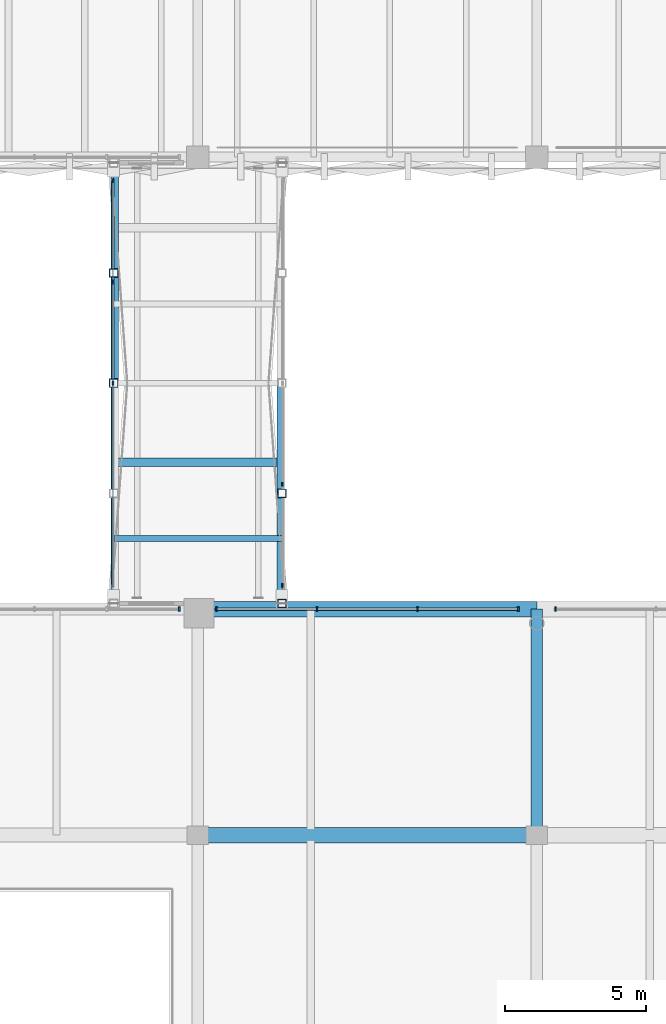
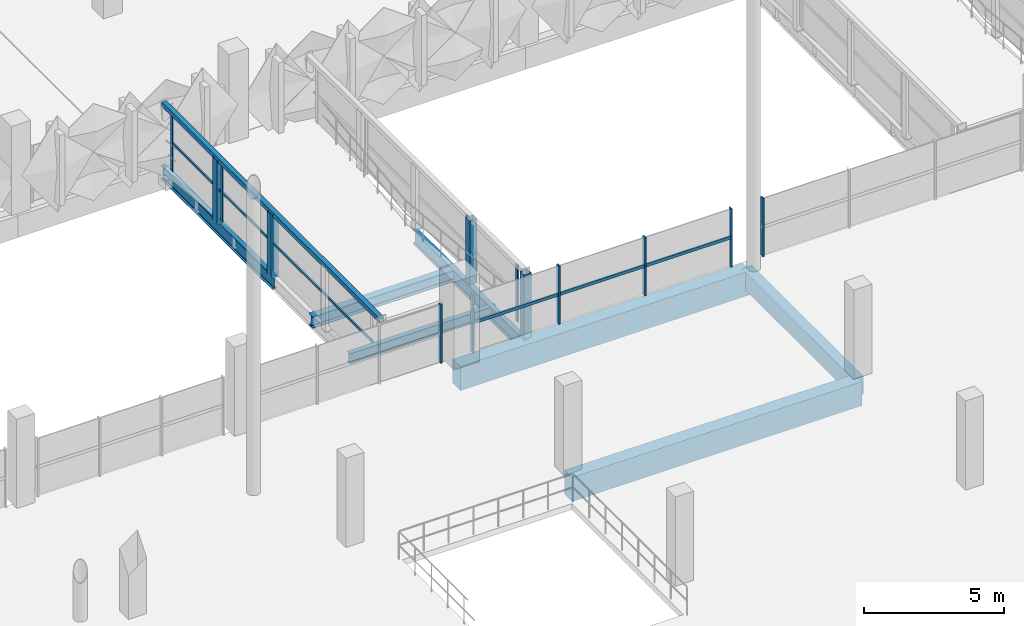
# One storey, part 33 of 123: 18 members, 7 beams, 5 elements without a shape of their own.
"""IFC4 building model written with IfcOpenShell, lengths in metres."""

from ifc_helpers import new_model, si_unit, derived_unit, direction, frame, origin, origin_2d, place, context, subcontext, project, spatial, rectangle, hollow_rectangle, i_section, extrude, material, layer, layer_set, material_profile, profile_set, type_object, element, aggregate, save


model = new_model("IFC4")

# Units and contexts
model_context = context("Model", 3, precision=1e-05, world=origin(), true_north=direction((0.0, 1.0)))
body_context = subcontext(model_context, "Body", "Model", "MODEL_VIEW")
ifc_project = project(units=[si_unit("LENGTHUNIT", "METRE"), si_unit("AREAUNIT", "SQUARE_METRE"), si_unit("VOLUMEUNIT", "CUBIC_METRE"), si_unit("PLANEANGLEUNIT", "RADIAN"), si_unit("MASSUNIT", "GRAM", prefix="KILO"), si_unit("THERMODYNAMICTEMPERATUREUNIT", "KELVIN"), derived_unit("THERMALTRANSMITTANCEUNIT", [(si_unit("POWERUNIT", "WATT"), 1), (si_unit("AREAUNIT", "SQUARE_METRE"), -1), (si_unit("THERMODYNAMICTEMPERATUREUNIT", "KELVIN"), -1)])], contexts=[model_context])

# Site, building, storey
site_placement = place(None, origin())
site = spatial("IfcSite", under=ifc_project, at=site_placement, CompositionType="ELEMENT")
building_placement = place(site_placement, origin())
building = spatial("IfcBuilding", under=site, at=building_placement, Name="Haiyu Intermodal Mobility Hub", CompositionType="ELEMENT")
storey_placement = place(building_placement, frame((0.0, 0.0, 5.60009765625)))
storey = spatial("IfcBuildingStorey", under=building, at=storey_placement, Name="L01", CompositionType="ELEMENT", Elevation=5.60009765625)

# Beams
ifc_material_1 = material(Name="Concrete C40", Category="concrete")
ifc_material_profile_1 = material_profile(ifc_material_1, rectangle(XDim=0.550048828125, YDim=1.050048828125, at=origin_2d()), Name="B550x1050")
ifc_profile_set_1 = profile_set([ifc_material_profile_1], Name="Concrete C40")
beam_type_1 = type_object("IfcBeamType", Name="BM-CB12", PredefinedType="BEAM", material=ifc_profile_set_1)
beam_1_placement = place(storey_placement, frame((96.0, 80.0, -0.78515625), z_axis=(1.0, 0.0, 0.0), x_axis=(0.0, 1.0, 0.0)))
element("IfcBeam", 1, at=beam_1_placement, inside=storey, type_object=beam_type_1, Name="BM-V1G-L01-025", PredefinedType="BEAM", context=body_context, shape_type="SweptSolid", body=[
    extrude(rectangle(XDim=0.550048828125, YDim=1.050048828125, at=origin_2d()), origin(), (0.0, 0.0, 1.0), 12.0),
])
ifc_material_profile_2 = material_profile(ifc_material_1, rectangle(XDim=0.550048828125, YDim=1.050048828125, at=origin_2d()), Name="B550x1050")
ifc_profile_set_2 = profile_set([ifc_material_profile_2], Name="Concrete C40")
beam_type_2 = type_object("IfcBeamType", Name="BM-CB12-EXT", PredefinedType="BEAM", material=ifc_profile_set_2)
beam_2_placement = place(storey_placement, frame((96.0, 88.0, -0.78515625), z_axis=(1.0, 0.0, 0.0), x_axis=(0.0, 1.0, 0.0)))
element("IfcBeam", 2, at=beam_2_placement, inside=storey, type_object=beam_type_2, Name="BM-V1G-L01-035", PredefinedType="BEAM", context=body_context, shape_type="SweptSolid", body=[
    extrude(rectangle(XDim=0.550048828125, YDim=1.050048828125, at=origin_2d()), origin(), (0.0, 0.0, 1.0), 12.0),
])
ifc_material_profile_3 = material_profile(ifc_material_1, rectangle(XDim=0.419921875, YDim=0.780029296875, at=origin_2d()), Name="B420x780")
ifc_profile_set_3 = profile_set([ifc_material_profile_3], Name="Concrete C40")
beam_type_3 = type_object("IfcBeamType", Name="BM-CB14", PredefinedType="BEAM", material=ifc_profile_set_3)
beam_3_placement = place(storey_placement, frame((108.0, 80.0, -0.650146484375), z_axis=(0.0, 1.0, 0.0), x_axis=(-1.0, 0.0, 0.0)))
element("IfcBeam", 3, at=beam_3_placement, inside=storey, type_object=beam_type_3, Name="BM-V1T-L01-018", PredefinedType="BEAM", context=body_context, shape_type="SweptSolid", body=[
    extrude(rectangle(XDim=0.419921875, YDim=0.780029296875, at=origin_2d()), origin(), (0.0, 0.0, 1.0), 8.0),
])
ifc_material_2 = material(Name="Steel Q355C", Category="steel")
ifc_material_profile_4 = material_profile(ifc_material_2, i_section(OverallWidth=0.199951171875, OverallDepth=0.60009765625, WebThickness=0.010986328125, FlangeThickness=0.01708984375, FilletRadius=0.02197265625, at=origin_2d()), Name="HN600x200x11x17")
ifc_profile_set_4 = profile_set([ifc_material_profile_4], Name="Steel Q355C")
beam_type_4 = type_object("IfcBeamType", Name="BM-SB04-EXT", PredefinedType="BEAM", material=ifc_profile_set_4)
for number, where, z_axis, x_axis, name in (
    (4, (93.10009765625, 96.0, -0.56005859375), (0.0, 1.0, 0.0), (-1.0, 0.0, 0.0), "BM-BRG-L01-003"),
    (5, (98.89990234375, 88.0, -0.56005859375), (0.0, 1.0, 0.0), (-1.0, 0.0, 0.0), "BM-BRG-L01-004"),
):
    element("IfcBeam", number, at=place(storey_placement, frame(where, z_axis=z_axis, x_axis=x_axis)), inside=storey, type_object=beam_type_4, Name=name, PredefinedType="BEAM", context=body_context, shape_type="SweptSolid", body=[
        extrude(i_section(OverallWidth=0.199951171875, OverallDepth=0.60009765625, WebThickness=0.010986328125, FlangeThickness=0.01708984375, FilletRadius=0.02197265625, at=origin_2d()), origin(), (0.0, 0.0, 1.0), 8.0),
    ])
ifc_material_profile_5 = material_profile(ifc_material_2, i_section(OverallWidth=0.199951171875, OverallDepth=0.449951171875, WebThickness=0.009033203125, FlangeThickness=0.013916015625, FilletRadius=0.01806640625, at=origin_2d()), Name="HN450x200x9x14")
ifc_profile_set_5 = profile_set([ifc_material_profile_5], Name="Steel Q355C")
beam_type_5 = type_object("IfcBeamType", Name="BM-SB07-EXT", PredefinedType="JOIST", material=ifc_profile_set_5)
beam_4_placement = place(storey_placement, frame((92.97998046875, 90.5, -0.485107421875), z_axis=(1.0, 0.0, 0.0), x_axis=(0.0, 1.0, 0.0)))
element("IfcBeam", 6, at=beam_4_placement, inside=storey, type_object=beam_type_5, Name="BM-BRGJ-L01-006", PredefinedType="JOIST", context=body_context, shape_type="SweptSolid", body=[
    extrude(i_section(OverallWidth=0.199951171875, OverallDepth=0.449951171875, WebThickness=0.009033203125, FlangeThickness=0.013916015625, FilletRadius=0.01806640625, at=origin_2d()), origin(), (0.0, 0.0, 1.0), 6.0400390625),
])
ifc_material_profile_6 = material_profile(ifc_material_2, i_section(OverallWidth=0.300048828125, OverallDepth=0.5, WebThickness=0.010986328125, FlangeThickness=0.01806640625, FilletRadius=0.02001953125, at=origin_2d()), Name="HM500x300x11x18")
ifc_profile_set_6 = profile_set([ifc_material_profile_6], Name="Steel Q355C")
beam_type_6 = type_object("IfcBeamType", Name="BM-SB12", PredefinedType="BEAM", material=ifc_profile_set_6)
beam_5_placement = place(storey_placement, frame((92.97998046875, 93.199951171875, -0.510009765625), z_axis=(1.0, 0.0, 0.0), x_axis=(0.0, 1.0, 0.0)))
element("IfcBeam", 7, at=beam_5_placement, inside=storey, type_object=beam_type_6, Name="BM-BRGJ-L01-007", PredefinedType="BEAM", context=body_context, shape_type="SweptSolid", body=[
    extrude(i_section(OverallWidth=0.300048828125, OverallDepth=0.5, WebThickness=0.010986328125, FlangeThickness=0.01806640625, FilletRadius=0.02001953125, at=origin_2d()), origin(), (0.0, 0.0, 1.0), 6.0400390625),
])

# Curtain wall, member
ifc_material_3 = material(Name="Low-e laminated insulating glass", Category="glass")
ifc_layer_1 = layer(ifc_material_3, 0.25)
ifc_layer_set_1 = layer_set([ifc_layer_1], Name="Low-e laminated insulating glass")
curtain_wall_type_1 = type_object("IfcCurtainWallType", Name="CW-CW02", PredefinedType="NOTDEFINED", material=ifc_layer_set_1)
curtain_wall_1_placement = place(storey_placement, origin())
curtain_wall_1 = element("IfcCurtainWall", 8, at=curtain_wall_1_placement, inside=storey, type_object=curtain_wall_type_1, Name="Curtain Wall CW-V1N-L01-024", PredefinedType="NOTDEFINED")
ifc_material_4 = material(Name="Anodised aluminium 6063-T6", Category="aluminium")
ifc_material_profile_7 = material_profile(ifc_material_4, rectangle(XDim=0.06494140625, YDim=0.1650390625, at=origin_2d()), Name="ALU65x165")
ifc_profile_set_7 = profile_set([ifc_material_profile_7], Name="Anodised aluminium 6063-T6")
member_type_1 = type_object("IfcMemberType", Name="CWM-ML02", PredefinedType="MULLION", material=ifc_profile_set_7)
member_1_placement = place(storey_placement, frame((95.340087890625, 88.0, 0.0), z_axis=(0.0, 0.0, 1.0), x_axis=(1.0, 0.0, 0.0)))
member_1 = element("IfcMember", 9, at=member_1_placement, type_object=member_type_1, Name="CW-V1N-L01-024-ML01", PredefinedType="MULLION", context=body_context, shape_type="SweptSolid", body=[
    extrude(rectangle(XDim=0.06494140625, YDim=0.1650390625, at=origin_2d()), origin(), (0.0, 0.0, 1.0), 2.5498046875),
])
aggregate(curtain_wall_1, [member_1])

# Curtain wall, members
curtain_wall_2_placement = place(storey_placement, origin())
curtain_wall_2 = element("IfcCurtainWall", 10, at=curtain_wall_2_placement, inside=storey, type_object=curtain_wall_type_1, Name="Curtain Wall CW-V1N-L01-026", PredefinedType="NOTDEFINED")
member_2_placement = place(storey_placement, frame((107.340087890625, 88.0, 0.0), z_axis=(0.0, 0.0, 1.0), x_axis=(1.0, 0.0, 0.0)))
member_2 = element("IfcMember", 11, at=member_2_placement, type_object=member_type_1, Name="CW-V1N-L01-026-ML01", PredefinedType="MULLION", context=body_context, shape_type="SweptSolid", body=[
    extrude(rectangle(XDim=0.06494140625, YDim=0.1650390625, at=origin_2d()), origin(), (0.0, 0.0, 1.0), 2.5498046875),
])
member_3_placement = place(storey_placement, frame((103.780029296875, 88.0, 0.0), z_axis=(0.0, 0.0, 1.0), x_axis=(1.0, 0.0, 0.0)))
member_3 = element("IfcMember", 12, at=member_3_placement, type_object=member_type_1, Name="CW-V1N-L01-026-ML02", PredefinedType="MULLION", context=body_context, shape_type="SweptSolid", body=[
    extrude(rectangle(XDim=0.06494140625, YDim=0.1650390625, at=origin_2d()), origin(), (0.0, 0.0, 1.0), 2.5498046875),
])
member_4_placement = place(storey_placement, frame((100.219970703125, 88.0, 0.0), z_axis=(0.0, 0.0, 1.0), x_axis=(1.0, 0.0, 0.0)))
member_4 = element("IfcMember", 13, at=member_4_placement, type_object=member_type_1, Name="CW-V1N-L01-026-ML03", PredefinedType="MULLION", context=body_context, shape_type="SweptSolid", body=[
    extrude(rectangle(XDim=0.06494140625, YDim=0.1650390625, at=origin_2d()), origin(), (0.0, 0.0, 1.0), 2.5498046875),
])
member_5_placement = place(storey_placement, frame((96.659912109375, 88.0, 0.0), z_axis=(0.0, 0.0, 1.0), x_axis=(1.0, 0.0, 0.0)))
member_5 = element("IfcMember", 14, at=member_5_placement, type_object=member_type_1, Name="CW-V1N-L01-026-ML04", PredefinedType="MULLION", context=body_context, shape_type="SweptSolid", body=[
    extrude(rectangle(XDim=0.06494140625, YDim=0.1650390625, at=origin_2d()), origin(), (0.0, 0.0, 1.0), 2.5498046875),
])

# Curtain wall, member
curtain_wall_3_placement = place(storey_placement, origin())
curtain_wall_3 = element("IfcCurtainWall", 15, at=curtain_wall_3_placement, inside=storey, type_object=curtain_wall_type_1, Name="Curtain Wall CW-V1N-L01-028", PredefinedType="NOTDEFINED")
member_6_placement = place(storey_placement, frame((108.659912109375, 88.0, 0.0), z_axis=(0.0, 0.0, 1.0), x_axis=(1.0, 0.0, 0.0)))
member_6 = element("IfcMember", 16, at=member_6_placement, type_object=member_type_1, Name="CW-V1N-L01-028-ML04", PredefinedType="MULLION", context=body_context, shape_type="SweptSolid", body=[
    extrude(rectangle(XDim=0.06494140625, YDim=0.1650390625, at=origin_2d()), origin(), (0.0, 0.0, 1.0), 2.5498046875),
])
aggregate(curtain_wall_3, [member_6])

# Curtain wall, members
ifc_layer_2 = layer(ifc_material_3, 0.2099609375)
ifc_layer_set_2 = layer_set([ifc_layer_2], Name="Low-e laminated insulating glass")
curtain_wall_type_2 = type_object("IfcCurtainWallType", Name="CW-CW04", PredefinedType="NOTDEFINED", material=ifc_layer_set_2)
curtain_wall_4_placement = place(storey_placement, origin())
curtain_wall_4 = element("IfcCurtainWall", 17, at=curtain_wall_4_placement, inside=storey, type_object=curtain_wall_type_2, Name="Curtain Wall CW-BRG-BWW-L01-080", PredefinedType="NOTDEFINED")
ifc_material_profile_8 = material_profile(ifc_material_4, rectangle(XDim=0.06005859375, YDim=0.14501953125, at=origin_2d()), Name="ALU60x145")
ifc_profile_set_8 = profile_set([ifc_material_profile_8], Name="Anodised aluminium 6063-T6")
member_type_2 = type_object("IfcMemberType", Name="CWM-ML03", PredefinedType="MULLION", material=ifc_profile_set_8)
member_7_placement = place(storey_placement, frame((93.0, 96.0, 0.0), z_axis=(0.0, 0.0, 1.0), x_axis=(1.0, 0.0, 0.0)))
member_7 = element("IfcMember", 18, at=member_7_placement, type_object=member_type_2, Name="CW-BRG-BWW-L01-080-ML03", PredefinedType="MULLION", context=body_context, shape_type="SweptSolid", body=[
    extrude(rectangle(XDim=0.06005859375, YDim=0.14501953125, at=origin_2d()), origin(), (0.0, 0.0, 1.0), 2.47998046875),
])
member_8_placement = place(storey_placement, frame((93.0, 99.580078125, 0.0), z_axis=(0.0, 0.0, 1.0), x_axis=(1.0, 0.0, 0.0)))
member_8 = element("IfcMember", 19, at=member_8_placement, type_object=member_type_2, Name="CW-BRG-BWW-L01-080-ML04", PredefinedType="MULLION", context=body_context, shape_type="SweptSolid", body=[
    extrude(rectangle(XDim=0.06005859375, YDim=0.14501953125, at=origin_2d()), origin(), (0.0, 0.0, 1.0), 2.47998046875),
])
member_9_placement = place(storey_placement, frame((93.0, 103.159912109375, 0.0), z_axis=(0.0, 0.0, 1.0), x_axis=(1.0, 0.0, 0.0)))
member_9 = element("IfcMember", 20, at=member_9_placement, type_object=member_type_2, Name="CW-BRG-BWW-L01-080-ML05", PredefinedType="MULLION", context=body_context, shape_type="SweptSolid", body=[
    extrude(rectangle(XDim=0.06005859375, YDim=0.14501953125, at=origin_2d()), origin(), (0.0, 0.0, 1.0), 2.47998046875),
])

curtain_wall_5_placement = place(storey_placement, origin())
curtain_wall_5 = element("IfcCurtainWall", 21, at=curtain_wall_5_placement, inside=storey, type_object=curtain_wall_type_2, Name="Curtain Wall CW-BRG-BWE-L01-081", PredefinedType="NOTDEFINED")
member_10_placement = place(storey_placement, frame((99.0, 88.840087890625, 0.0), z_axis=(0.0, 0.0, 1.0), x_axis=(1.0, 0.0, 0.0)))
member_10 = element("IfcMember", 22, at=member_10_placement, type_object=member_type_2, Name="CW-BRG-BWE-L01-081-ML01", PredefinedType="MULLION", context=body_context, shape_type="SweptSolid", body=[
    extrude(rectangle(XDim=0.06005859375, YDim=0.14501953125, at=origin_2d()), origin(), (0.0, 0.0, 1.0), 2.47998046875),
])
member_11_placement = place(storey_placement, frame((99.0, 92.419921875, 0.0), z_axis=(0.0, 0.0, 1.0), x_axis=(1.0, 0.0, 0.0)))
member_11 = element("IfcMember", 23, at=member_11_placement, type_object=member_type_2, Name="CW-BRG-BWE-L01-081-ML02", PredefinedType="MULLION", context=body_context, shape_type="SweptSolid", body=[
    extrude(rectangle(XDim=0.06005859375, YDim=0.14501953125, at=origin_2d()), origin(), (0.0, 0.0, 1.0), 2.47998046875),
])
aggregate(curtain_wall_5, [member_10, member_11])

# Member
ifc_material_profile_9 = material_profile(ifc_material_4, rectangle(XDim=0.06494140625, YDim=0.135009765625, at=origin_2d()), Name="ALU65x135")
ifc_profile_set_9 = profile_set([ifc_material_profile_9], Name="Anodised aluminium 6063-T6")
member_type_3 = type_object("IfcMemberType", Name="CWM-TR02", PredefinedType="USERDEFINED", material=ifc_profile_set_9)
member_12_placement = place(storey_placement, frame((107.3798828125, 88.0, 1.27490234375), z_axis=(-1.0, 0.0, 0.0), x_axis=(0.0, -1.0, 0.0)))
member_12 = element("IfcMember", 24, at=member_12_placement, type_object=member_type_3, Name="CW-V1N-L01-026-TR01", ObjectType="TRANSOM", PredefinedType="USERDEFINED", context=body_context, shape_type="SweptSolid", body=[
    extrude(rectangle(XDim=0.06494140625, YDim=0.135009765625, at=origin_2d()), origin(), (0.0, 0.0, 1.0), 10.759765625),
])

aggregate(curtain_wall_2, [member_2, member_3, member_4, member_5, member_12])

ifc_material_profile_10 = material_profile(ifc_material_4, rectangle(XDim=0.06005859375, YDim=0.114990234375, at=origin_2d()), Name="ALU60x115")
ifc_profile_set_10 = profile_set([ifc_material_profile_10], Name="Anodised aluminium 6063-T6")
member_type_4 = type_object("IfcMemberType", Name="CWM-TR03", PredefinedType="USERDEFINED", material=ifc_profile_set_10)
member_13_placement = place(storey_placement, frame((93.0, 88.800048828125, 1.239990234375), z_axis=(0.0, 1.0, 0.0), x_axis=(-1.0, 0.0, 0.0)))
member_13 = element("IfcMember", 25, at=member_13_placement, type_object=member_type_4, Name="CW-BRG-BWW-L01-080-TR01", ObjectType="TRANSOM", PredefinedType="USERDEFINED", context=body_context, shape_type="SweptSolid", body=[
    extrude(rectangle(XDim=0.06005859375, YDim=0.114990234375, at=origin_2d()), origin(), (0.0, 0.0, 1.0), 14.39990234375),
])

aggregate(curtain_wall_4, [member_7, member_8, member_9, member_13])

# Members
ifc_material_profile_11 = material_profile(ifc_material_2, hollow_rectangle(XDim=0.300048828125, YDim=0.300048828125, WallThickness=0.011962890625, at=origin_2d()), Name="SHS300x300x12")
ifc_profile_set_11 = profile_set([ifc_material_profile_11], Name="Steel Q355C")
member_type_5 = type_object("IfcMemberType", Name="MEM-BR04", PredefinedType="BRACE", material=ifc_profile_set_11)
for number, where, z_axis, x_axis, name in (
    (26, (93.02001953125, 96.0, -0.239990234375), (0.0, 0.0, 1.0), (1.0, 0.0, 0.0), "Bridge Vierendeel Frame Post BWW-3"),
    (27, (93.02001953125, 99.89990234375, -0.239990234375), (0.0, 0.0, 1.0), (1.0, 0.0, 0.0), "Bridge Vierendeel Frame Post BWW-4"),
    (28, (98.97998046875, 88.199951171875, -0.239990234375), (0.0, 0.0, 1.0), (1.0, 0.0, 0.0), "Bridge Vierendeel Frame Post BWE-1"),
    (29, (98.97998046875, 92.10009765625, -0.239990234375), (0.0, 0.0, 1.0), (1.0, 0.0, 0.0), "Bridge Vierendeel Frame Post BWE-2"),
):
    element("IfcMember", number, at=place(storey_placement, frame(where, z_axis=z_axis, x_axis=x_axis)), inside=storey, type_object=member_type_5, Name=name, PredefinedType="BRACE", context=body_context, shape_type="SweptSolid", body=[
        extrude(hollow_rectangle(XDim=0.300048828125, YDim=0.300048828125, WallThickness=0.011962890625, at=origin_2d()), origin(), (0.0, 0.0, 1.0), 2.789794921875),
    ])
ifc_material_profile_12 = material_profile(ifc_material_2, hollow_rectangle(XDim=0.199951171875, YDim=0.199951171875, WallThickness=0.008056640625, at=origin_2d()), Name="SHS200x200x8")
ifc_profile_set_12 = profile_set([ifc_material_profile_12], Name="Steel Q355C")
member_type_6 = type_object("IfcMemberType", Name="MEM-CH02", PredefinedType="CHORD", material=ifc_profile_set_12)
member_14_placement = place(storey_placement, frame((93.02001953125, 88.199951171875, 2.5498046875), z_axis=(0.0, 1.0, 0.0), x_axis=(-1.0, 0.0, 0.0)))
element("IfcMember", 30, at=member_14_placement, inside=storey, type_object=member_type_6, Name="MEM-BRGTC-BWW", PredefinedType="CHORD", context=body_context, shape_type="SweptSolid", body=[
    extrude(hollow_rectangle(XDim=0.199951171875, YDim=0.199951171875, WallThickness=0.008056640625, at=origin_2d()), origin(), (0.0, 0.0, 1.0), 15.60009765625),
])

save(model, "model.ifc")
